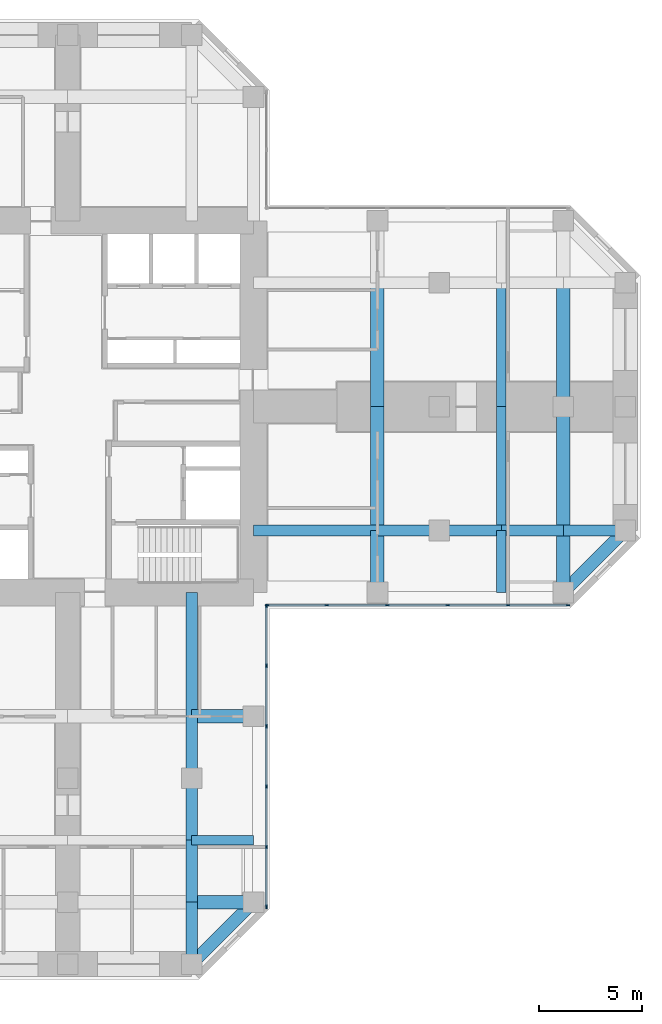
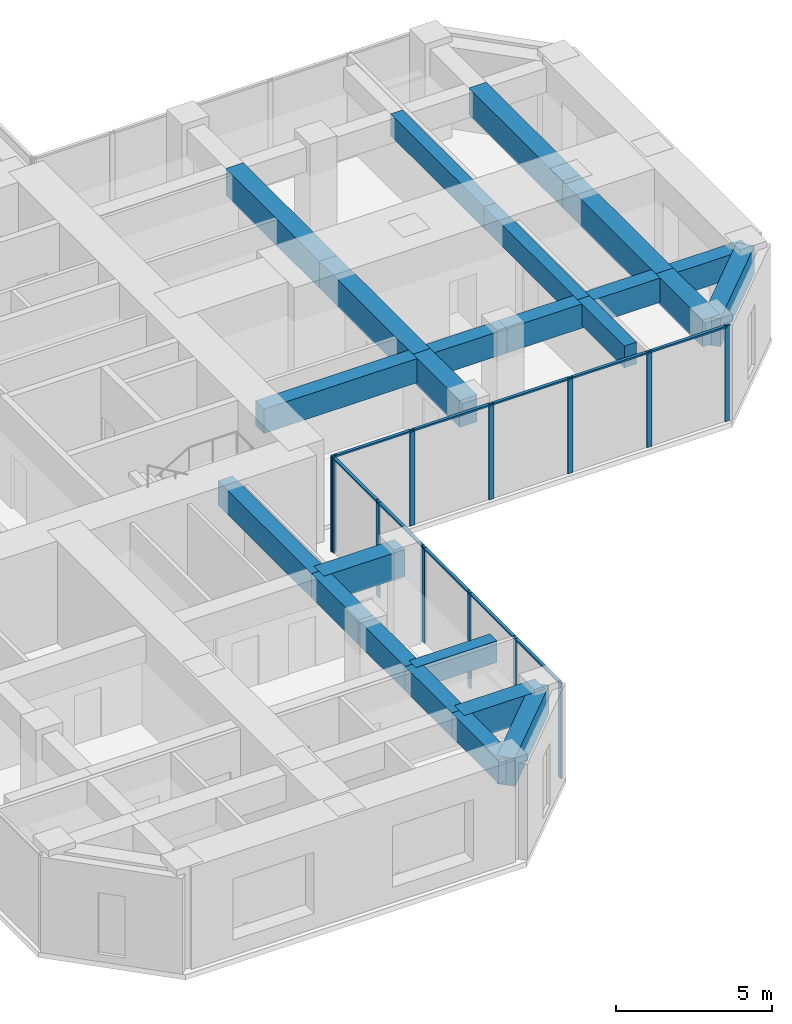
# One storey, part 4 of 13: 24 beams, 22 members, 2 elements without a shape of their own.
"""IFC4 building model written with IfcOpenShell, lengths in metres."""

from ifc_helpers import new_model, si_unit, direction, frame, origin, origin_2d, place, context, subcontext, project, spatial, rectangle, extrude, material, material_profile, profile_set, type_object, element, aggregate, save


model = new_model("IFC4")

# Units and contexts
model_context = context("Model", 3, precision=1e-05, world=origin(), true_north=direction((0.0, 1.0)))
body_context = subcontext(model_context, "Body", "Model", "MODEL_VIEW")
ifc_project = project(units=[si_unit("LENGTHUNIT", "METRE"), si_unit("AREAUNIT", "SQUARE_METRE"), si_unit("VOLUMEUNIT", "CUBIC_METRE"), si_unit("PLANEANGLEUNIT", "RADIAN"), si_unit("MASSUNIT", "GRAM", prefix="KILO")], contexts=[model_context])

# Site, building, storey
site_placement = place(None, origin())
site = spatial("IfcSite", under=ifc_project, at=site_placement, CompositionType="ELEMENT")
building_placement = place(site_placement, origin())
building = spatial("IfcBuilding", under=site, at=building_placement, Name="Torre Cruceta", CompositionType="ELEMENT")
storey_placement = place(building_placement, frame((0.0, 0.0, 160.5)))
storey = spatial("IfcBuildingStorey", under=building, at=storey_placement, Name="L39", CompositionType="ELEMENT", Elevation=160.5)

# Beams
ifc_material_1 = material(Name="Concrete G60 (fck 60 MPa)", Category="concrete")
ifc_material_profile_1 = material_profile(ifc_material_1, rectangle(XDim=0.550048828125, YDim=0.949951171875, at=origin_2d()), Name="RC 550X950")
ifc_profile_set_1 = profile_set([ifc_material_profile_1], Name="Concrete G60 (fck 60 MPa)")
beam_type_1 = type_object("IfcBeamType", Name="COLUMN LINE BEAM RC 550X950", PredefinedType="BEAM", material=ifc_profile_set_1)
beam_1_placement = place(storey_placement, frame((9.0, -6.0, 3.27490234375), z_axis=(1.0, 0.0, 0.0), x_axis=(0.0, 1.0, 0.0)))
element("IfcBeam", 1, at=beam_1_placement, inside=storey, type_object=beam_type_1, Name="LB3 L39 E col- 1", PredefinedType="BEAM", context=body_context, shape_type="SweptSolid", body=[
    extrude(rectangle(XDim=0.550048828125, YDim=0.949951171875, at=origin_2d()), origin(), (0.0, 0.0, 1.0), 6.0),
])
for number, where, z_axis, x_axis, name in (
    (2, (15.0, -6.0, 3.27490234375), (1.0, 0.0, 0.0), (0.0, 1.0, 0.0), "LB3 L39 E col- 2"),
    (3, (18.0, -6.0, 3.27490234375), (1.0, 0.0, 0.0), (0.0, 1.0, 0.0), "LB3 L39 E col- 3"),
    (4, (21.0, -6.0, 3.27490234375), (1.0, 0.0, 0.0), (0.0, 1.0, 0.0), "LB3 L39 E col- 4"),
    (5, (24.0, -6.0, 3.27490234375), (1.0, 0.0, 0.0), (0.0, 1.0, 0.0), "LB3 L39 E col- 5"),
):
    element("IfcBeam", number, at=place(storey_placement, frame(where, z_axis=z_axis, x_axis=x_axis)), inside=storey, type_object=beam_type_1, Name=name, PredefinedType="BEAM", context=body_context, shape_type="SweptSolid", body=[
        extrude(rectangle(XDim=0.550048828125, YDim=0.949951171875, at=origin_2d()), origin(), (0.0, 0.0, 1.0), 3.0),
    ])
beam_2_placement = place(storey_placement, frame((6.0, -9.0, 3.27490234375), z_axis=(0.0, -1.0, 0.0), x_axis=(1.0, 0.0, 0.0)))
element("IfcBeam", 6, at=beam_2_placement, inside=storey, type_object=beam_type_1, Name="LB3 L39 S col+ 1", PredefinedType="BEAM", context=body_context, shape_type="SweptSolid", body=[
    extrude(rectangle(XDim=0.550048828125, YDim=0.949951171875, at=origin_2d()), origin(), (0.0, 0.0, 1.0), 6.0),
])
for number, where, z_axis, x_axis, name in (
    (7, (6.0, -15.0, 3.27490234375), (0.0, -1.0, 0.0), (1.0, 0.0, 0.0), "LB3 L39 S col+ 2"),
    (8, (6.0, -18.0, 3.27490234375), (0.0, -1.0, 0.0), (1.0, 0.0, 0.0), "LB3 L39 S col+ 3"),
    (9, (6.0, -21.0, 3.27490234375), (0.0, -1.0, 0.0), (1.0, 0.0, 0.0), "LB3 L39 S col+ 4"),
    (10, (6.0, -24.0, 3.27490234375), (0.0, -1.0, 0.0), (1.0, 0.0, 0.0), "LB3 L39 S col+ 5"),
):
    element("IfcBeam", number, at=place(storey_placement, frame(where, z_axis=z_axis, x_axis=x_axis)), inside=storey, type_object=beam_type_1, Name=name, PredefinedType="BEAM", context=body_context, shape_type="SweptSolid", body=[
        extrude(rectangle(XDim=0.550048828125, YDim=0.949951171875, at=origin_2d()), origin(), (0.0, 0.0, 1.0), 3.0),
    ])
ifc_material_2 = material(Name="Concrete G60 (fck 60 MPa)", Category="concrete")
ifc_material_profile_2 = material_profile(ifc_material_2, rectangle(XDim=0.64990234375, YDim=1.050048828125, at=origin_2d()), Name="RC 650X1050")
ifc_profile_set_2 = profile_set([ifc_material_profile_2], Name="Concrete G60 (fck 60 MPa)")
beam_type_2 = type_object("IfcBeamType", Name="CROSS BEAM RC 650X1050", PredefinedType="BEAM", material=ifc_profile_set_2)
beam_3_placement = place(storey_placement, frame((15.0, -9.0, 3.22509765625), z_axis=(0.0, 1.0, 0.0), x_axis=(-1.0, 0.0, 0.0)))
element("IfcBeam", 11, at=beam_3_placement, inside=storey, type_object=beam_type_2, Name="GB3 L39 E cross15 1", PredefinedType="BEAM", context=body_context, shape_type="SweptSolid", body=[
    extrude(rectangle(XDim=0.64990234375, YDim=1.050048828125, at=origin_2d()), origin(), (0.0, 0.0, 1.0), 3.0),
])
for number, where, z_axis, x_axis, name in (
    (12, (15.0, -6.0, 3.22509765625), (0.0, 1.0, 0.0), (-1.0, 0.0, 0.0), "GB3 L39 E cross15 2"),
    (13, (15.0, 0.0, 3.22509765625), (0.0, 1.0, 0.0), (-1.0, 0.0, 0.0), "GB3 L39 E cross15 3"),
):
    element("IfcBeam", number, at=place(storey_placement, frame(where, z_axis=z_axis, x_axis=x_axis)), inside=storey, type_object=beam_type_2, Name=name, PredefinedType="BEAM", context=body_context, shape_type="SweptSolid", body=[
        extrude(rectangle(XDim=0.64990234375, YDim=1.050048828125, at=origin_2d()), origin(), (0.0, 0.0, 1.0), 6.0),
    ])
beam_4_placement = place(storey_placement, frame((24.0, -9.0, 3.22509765625), z_axis=(0.0, 1.0, 0.0), x_axis=(-1.0, 0.0, 0.0)))
element("IfcBeam", 14, at=beam_4_placement, inside=storey, type_object=beam_type_2, Name="GB3 L39 E cross24 1", PredefinedType="BEAM", context=body_context, shape_type="SweptSolid", body=[
    extrude(rectangle(XDim=0.64990234375, YDim=1.050048828125, at=origin_2d()), origin(), (0.0, 0.0, 1.0), 3.0),
])
for number, where, z_axis, x_axis, name in (
    (15, (24.0, -6.0, 3.22509765625), (0.0, 1.0, 0.0), (-1.0, 0.0, 0.0), "GB3 L39 E cross24 2"),
    (16, (24.0, 0.0, 3.22509765625), (0.0, 1.0, 0.0), (-1.0, 0.0, 0.0), "GB3 L39 E cross24 3"),
):
    element("IfcBeam", number, at=place(storey_placement, frame(where, z_axis=z_axis, x_axis=x_axis)), inside=storey, type_object=beam_type_2, Name=name, PredefinedType="BEAM", context=body_context, shape_type="SweptSolid", body=[
        extrude(rectangle(XDim=0.64990234375, YDim=1.050048828125, at=origin_2d()), origin(), (0.0, 0.0, 1.0), 6.0),
    ])
for number, where, z_axis, x_axis, name in (
    (17, (6.0, -15.0, 3.22509765625), (1.0, 0.0, 0.0), (0.0, 1.0, 0.0), "GB3 L39 S cross15 4"),
    (18, (6.0, -24.0, 3.22509765625), (1.0, 0.0, 0.0), (0.0, 1.0, 0.0), "GB3 L39 S cross24 4"),
):
    element("IfcBeam", number, at=place(storey_placement, frame(where, z_axis=z_axis, x_axis=x_axis)), inside=storey, type_object=beam_type_2, Name=name, PredefinedType="BEAM", context=body_context, shape_type="SweptSolid", body=[
        extrude(rectangle(XDim=0.64990234375, YDim=1.050048828125, at=origin_2d()), origin(), (0.0, 0.0, 1.0), 3.0),
    ])

# Curtain wall, members
ifc_material_3 = material(Name="Aluminium unitised curtain wall", Category="aluminium")
curtain_wall_type = type_object("IfcCurtainWallType", Name="CURTAIN WALL CW-B OFFICE MID RISE", PredefinedType="USERDEFINED", material=ifc_material_3)
curtain_wall_1_placement = place(storey_placement, origin())
curtain_wall_1 = element("IfcCurtainWall", 19, at=curtain_wall_1_placement, inside=storey, type_object=curtain_wall_type, Name="CW-B L39 E side 00", ObjectType="UNITISED", PredefinedType="USERDEFINED")
ifc_material_4 = material(Name="Aluminium mullion", Category="aluminium")
ifc_material_profile_3 = material_profile(ifc_material_4, rectangle(XDim=0.06494140625, YDim=0.179931640625, at=origin_2d()), Name="AL 65X180")
ifc_profile_set_3 = profile_set([ifc_material_profile_3], Name="Aluminium mullion")
member_type_1 = type_object("IfcMemberType", Name="CW-B MULLION 65X180", PredefinedType="MULLION", material=ifc_profile_set_3)
member_1_placement = place(storey_placement, frame((9.652587890625, -9.6201171875, 0.0), z_axis=(0.0, 0.0, 1.0), x_axis=(0.0, 1.0, 0.0)))
member_1 = element("IfcMember", 20, at=member_1_placement, type_object=member_type_1, Name="CW-B mullion 1", PredefinedType="MULLION", context=body_context, shape_type="SweptSolid", body=[
    extrude(rectangle(XDim=0.06494140625, YDim=0.179931640625, at=origin_2d()), origin(), (0.0, 0.0, 1.0), 3.75),
])
member_2_placement = place(storey_placement, frame((12.54736328125, -9.6201171875, 0.0), z_axis=(0.0, 0.0, 1.0), x_axis=(0.0, 1.0, 0.0)))
member_2 = element("IfcMember", 21, at=member_2_placement, type_object=member_type_1, Name="CW-B mullion 2", PredefinedType="MULLION", context=body_context, shape_type="SweptSolid", body=[
    extrude(rectangle(XDim=0.06494140625, YDim=0.179931640625, at=origin_2d()), origin(), (0.0, 0.0, 1.0), 3.75),
])
member_3_placement = place(storey_placement, frame((15.474609375, -9.6201171875, 0.0), z_axis=(0.0, 0.0, 1.0), x_axis=(0.0, 1.0, 0.0)))
member_3 = element("IfcMember", 22, at=member_3_placement, type_object=member_type_1, Name="CW-B mullion 3", PredefinedType="MULLION", context=body_context, shape_type="SweptSolid", body=[
    extrude(rectangle(XDim=0.06494140625, YDim=0.179931640625, at=origin_2d()), origin(), (0.0, 0.0, 1.0), 3.75),
])
member_4_placement = place(storey_placement, frame((18.402099609375, -9.6201171875, 0.0), z_axis=(0.0, 0.0, 1.0), x_axis=(0.0, 1.0, 0.0)))
member_4 = element("IfcMember", 23, at=member_4_placement, type_object=member_type_1, Name="CW-B mullion 4", PredefinedType="MULLION", context=body_context, shape_type="SweptSolid", body=[
    extrude(rectangle(XDim=0.06494140625, YDim=0.179931640625, at=origin_2d()), origin(), (0.0, 0.0, 1.0), 3.75),
])
member_5_placement = place(storey_placement, frame((21.329345703125, -9.6201171875, 0.0), z_axis=(0.0, 0.0, 1.0), x_axis=(0.0, 1.0, 0.0)))
member_5 = element("IfcMember", 24, at=member_5_placement, type_object=member_type_1, Name="CW-B mullion 5", PredefinedType="MULLION", context=body_context, shape_type="SweptSolid", body=[
    extrude(rectangle(XDim=0.06494140625, YDim=0.179931640625, at=origin_2d()), origin(), (0.0, 0.0, 1.0), 3.75),
])
member_6_placement = place(storey_placement, frame((24.224365234375, -9.6201171875, 0.0), z_axis=(0.0, 0.0, 1.0), x_axis=(0.0, 1.0, 0.0)))
member_6 = element("IfcMember", 25, at=member_6_placement, type_object=member_type_1, Name="CW-B mullion 6", PredefinedType="MULLION", context=body_context, shape_type="SweptSolid", body=[
    extrude(rectangle(XDim=0.06494140625, YDim=0.179931640625, at=origin_2d()), origin(), (0.0, 0.0, 1.0), 3.75),
])

curtain_wall_2_placement = place(storey_placement, origin())
curtain_wall_2 = element("IfcCurtainWall", 26, at=curtain_wall_2_placement, inside=storey, type_object=curtain_wall_type, Name="CW-B L39 S side 19", ObjectType="UNITISED", PredefinedType="USERDEFINED")
member_7_placement = place(storey_placement, frame((9.6201171875, -24.224365234375, 0.0), z_axis=(0.0, 0.0, 1.0), x_axis=(-1.0, 0.0, 0.0)))
member_7 = element("IfcMember", 27, at=member_7_placement, type_object=member_type_1, Name="CW-B mullion 1", PredefinedType="MULLION", context=body_context, shape_type="SweptSolid", body=[
    extrude(rectangle(XDim=0.06494140625, YDim=0.179931640625, at=origin_2d()), origin(), (0.0, 0.0, 1.0), 3.75),
])
member_8_placement = place(storey_placement, frame((9.6201171875, -21.329345703125, 0.0), z_axis=(0.0, 0.0, 1.0), x_axis=(-1.0, 0.0, 0.0)))
member_8 = element("IfcMember", 28, at=member_8_placement, type_object=member_type_1, Name="CW-B mullion 2", PredefinedType="MULLION", context=body_context, shape_type="SweptSolid", body=[
    extrude(rectangle(XDim=0.06494140625, YDim=0.179931640625, at=origin_2d()), origin(), (0.0, 0.0, 1.0), 3.75),
])
member_9_placement = place(storey_placement, frame((9.6201171875, -18.402099609375, 0.0), z_axis=(0.0, 0.0, 1.0), x_axis=(-1.0, 0.0, 0.0)))
member_9 = element("IfcMember", 29, at=member_9_placement, type_object=member_type_1, Name="CW-B mullion 3", PredefinedType="MULLION", context=body_context, shape_type="SweptSolid", body=[
    extrude(rectangle(XDim=0.06494140625, YDim=0.179931640625, at=origin_2d()), origin(), (0.0, 0.0, 1.0), 3.75),
])
member_10_placement = place(storey_placement, frame((9.6201171875, -15.474609375, 0.0), z_axis=(0.0, 0.0, 1.0), x_axis=(-1.0, 0.0, 0.0)))
member_10 = element("IfcMember", 30, at=member_10_placement, type_object=member_type_1, Name="CW-B mullion 4", PredefinedType="MULLION", context=body_context, shape_type="SweptSolid", body=[
    extrude(rectangle(XDim=0.06494140625, YDim=0.179931640625, at=origin_2d()), origin(), (0.0, 0.0, 1.0), 3.75),
])
member_11_placement = place(storey_placement, frame((9.6201171875, -12.54736328125, 0.0), z_axis=(0.0, 0.0, 1.0), x_axis=(-1.0, 0.0, 0.0)))
member_11 = element("IfcMember", 31, at=member_11_placement, type_object=member_type_1, Name="CW-B mullion 5", PredefinedType="MULLION", context=body_context, shape_type="SweptSolid", body=[
    extrude(rectangle(XDim=0.06494140625, YDim=0.179931640625, at=origin_2d()), origin(), (0.0, 0.0, 1.0), 3.75),
])
member_12_placement = place(storey_placement, frame((9.6201171875, -9.652587890625, 0.0), z_axis=(0.0, 0.0, 1.0), x_axis=(-1.0, 0.0, 0.0)))
member_12 = element("IfcMember", 32, at=member_12_placement, type_object=member_type_1, Name="CW-B mullion 6", PredefinedType="MULLION", context=body_context, shape_type="SweptSolid", body=[
    extrude(rectangle(XDim=0.06494140625, YDim=0.179931640625, at=origin_2d()), origin(), (0.0, 0.0, 1.0), 3.75),
])

# Member
ifc_material_5 = material(Name="Aluminium transom", Category="aluminium")
ifc_material_profile_4 = material_profile(ifc_material_5, rectangle(XDim=0.110107421875, YDim=0.06494140625, at=origin_2d()), Name="AL 110X65")
ifc_profile_set_4 = profile_set([ifc_material_profile_4], Name="Aluminium transom")
member_type_2 = type_object("IfcMemberType", Name="CW-B TRANSOM 65X110", PredefinedType="USERDEFINED", material=ifc_profile_set_4)
member_13_placement = place(storey_placement, frame((9.68505859375, -9.6201171875, 3.717529296875), z_axis=(1.0, 0.0, 0.0), x_axis=(0.0, 1.0, 0.0)))
member_13 = element("IfcMember", 33, at=member_13_placement, type_object=member_type_2, Name="CW-B transom 1", ObjectType="TRANSOM", PredefinedType="USERDEFINED", context=body_context, shape_type="SweptSolid", body=[
    extrude(rectangle(XDim=0.110107421875, YDim=0.06494140625, at=origin_2d()), origin(), (0.0, 0.0, 1.0), 2.829833984375),
])

member_14_placement = place(storey_placement, frame((12.579833984375, -9.6201171875, 3.717529296875), z_axis=(1.0, 0.0, 0.0), x_axis=(0.0, 1.0, 0.0)))
member_14 = element("IfcMember", 34, at=member_14_placement, type_object=member_type_2, Name="CW-B transom 2", ObjectType="TRANSOM", PredefinedType="USERDEFINED", context=body_context, shape_type="SweptSolid", body=[
    extrude(rectangle(XDim=0.110107421875, YDim=0.06494140625, at=origin_2d()), origin(), (0.0, 0.0, 1.0), 2.8623046875),
])

member_15_placement = place(storey_placement, frame((15.50732421875, -9.6201171875, 3.717529296875), z_axis=(1.0, 0.0, 0.0), x_axis=(0.0, 1.0, 0.0)))
member_15 = element("IfcMember", 35, at=member_15_placement, type_object=member_type_2, Name="CW-B transom 3", ObjectType="TRANSOM", PredefinedType="USERDEFINED", context=body_context, shape_type="SweptSolid", body=[
    extrude(rectangle(XDim=0.110107421875, YDim=0.06494140625, at=origin_2d()), origin(), (0.0, 0.0, 1.0), 2.8623046875),
])

member_16_placement = place(storey_placement, frame((18.4345703125, -9.6201171875, 3.717529296875), z_axis=(1.0, 0.0, 0.0), x_axis=(0.0, 1.0, 0.0)))
member_16 = element("IfcMember", 36, at=member_16_placement, type_object=member_type_2, Name="CW-B transom 4", ObjectType="TRANSOM", PredefinedType="USERDEFINED", context=body_context, shape_type="SweptSolid", body=[
    extrude(rectangle(XDim=0.110107421875, YDim=0.06494140625, at=origin_2d()), origin(), (0.0, 0.0, 1.0), 2.8623046875),
])

member_17_placement = place(storey_placement, frame((21.362060546875, -9.6201171875, 3.717529296875), z_axis=(1.0, 0.0, 0.0), x_axis=(0.0, 1.0, 0.0)))
member_17 = element("IfcMember", 37, at=member_17_placement, type_object=member_type_2, Name="CW-B transom 5", ObjectType="TRANSOM", PredefinedType="USERDEFINED", context=body_context, shape_type="SweptSolid", body=[
    extrude(rectangle(XDim=0.110107421875, YDim=0.06494140625, at=origin_2d()), origin(), (0.0, 0.0, 1.0), 2.829833984375),
])

aggregate(curtain_wall_1, [member_1, member_2, member_3, member_4, member_5, member_6, member_13, member_14, member_15, member_16, member_17])

member_18_placement = place(storey_placement, frame((9.6201171875, -24.19189453125, 3.717529296875), z_axis=(0.0, 1.0, 0.0), x_axis=(-1.0, 0.0, 0.0)))
member_18 = element("IfcMember", 38, at=member_18_placement, type_object=member_type_2, Name="CW-B transom 1", ObjectType="TRANSOM", PredefinedType="USERDEFINED", context=body_context, shape_type="SweptSolid", body=[
    extrude(rectangle(XDim=0.110107421875, YDim=0.06494140625, at=origin_2d()), origin(), (0.0, 0.0, 1.0), 2.829833984375),
])

member_19_placement = place(storey_placement, frame((9.6201171875, -21.296875, 3.717529296875), z_axis=(0.0, 1.0, 0.0), x_axis=(-1.0, 0.0, 0.0)))
member_19 = element("IfcMember", 39, at=member_19_placement, type_object=member_type_2, Name="CW-B transom 2", ObjectType="TRANSOM", PredefinedType="USERDEFINED", context=body_context, shape_type="SweptSolid", body=[
    extrude(rectangle(XDim=0.110107421875, YDim=0.06494140625, at=origin_2d()), origin(), (0.0, 0.0, 1.0), 2.8623046875),
])

member_20_placement = place(storey_placement, frame((9.6201171875, -18.36962890625, 3.717529296875), z_axis=(0.0, 1.0, 0.0), x_axis=(-1.0, 0.0, 0.0)))
member_20 = element("IfcMember", 40, at=member_20_placement, type_object=member_type_2, Name="CW-B transom 3", ObjectType="TRANSOM", PredefinedType="USERDEFINED", context=body_context, shape_type="SweptSolid", body=[
    extrude(rectangle(XDim=0.110107421875, YDim=0.06494140625, at=origin_2d()), origin(), (0.0, 0.0, 1.0), 2.8623046875),
])

member_21_placement = place(storey_placement, frame((9.6201171875, -15.442138671875, 3.717529296875), z_axis=(0.0, 1.0, 0.0), x_axis=(-1.0, 0.0, 0.0)))
member_21 = element("IfcMember", 41, at=member_21_placement, type_object=member_type_2, Name="CW-B transom 4", ObjectType="TRANSOM", PredefinedType="USERDEFINED", context=body_context, shape_type="SweptSolid", body=[
    extrude(rectangle(XDim=0.110107421875, YDim=0.06494140625, at=origin_2d()), origin(), (0.0, 0.0, 1.0), 2.8623046875),
])

member_22_placement = place(storey_placement, frame((9.6201171875, -12.514892578125, 3.717529296875), z_axis=(0.0, 1.0, 0.0), x_axis=(-1.0, 0.0, 0.0)))
member_22 = element("IfcMember", 42, at=member_22_placement, type_object=member_type_2, Name="CW-B transom 5", ObjectType="TRANSOM", PredefinedType="USERDEFINED", context=body_context, shape_type="SweptSolid", body=[
    extrude(rectangle(XDim=0.110107421875, YDim=0.06494140625, at=origin_2d()), origin(), (0.0, 0.0, 1.0), 2.829833984375),
])

aggregate(curtain_wall_2, [member_7, member_8, member_9, member_10, member_11, member_12, member_18, member_19, member_20, member_21, member_22])

# Beams
ifc_material_6 = material(Name="Concrete G60 (fck 60 MPa)", Category="concrete")
ifc_material_profile_5 = material_profile(ifc_material_6, rectangle(XDim=0.449951171875, YDim=0.85009765625, at=origin_2d()), Name="RC 450X850")
ifc_profile_set_5 = profile_set([ifc_material_profile_5], Name="Concrete G60 (fck 60 MPa)")
beam_type_3 = type_object("IfcBeamType", Name="SECONDARY BEAM RC 450X850", PredefinedType="JOIST", material=ifc_profile_set_5)
beam_5_placement = place(storey_placement, frame((21.0, -9.0, 3.324951171875), z_axis=(0.0, 1.0, 0.0), x_axis=(-1.0, 0.0, 0.0)))
element("IfcBeam", 43, at=beam_5_placement, inside=storey, type_object=beam_type_3, Name="JB4 L39 E sec21 1", PredefinedType="JOIST", context=body_context, shape_type="SweptSolid", body=[
    extrude(rectangle(XDim=0.449951171875, YDim=0.85009765625, at=origin_2d()), origin(), (0.0, 0.0, 1.0), 3.0),
])
for number, where, z_axis, x_axis, name in (
    (44, (21.0, -6.0, 3.324951171875), (0.0, 1.0, 0.0), (-1.0, 0.0, 0.0), "JB4 L39 E sec21 2"),
    (45, (21.0, 0.0, 3.324951171875), (0.0, 1.0, 0.0), (-1.0, 0.0, 0.0), "JB4 L39 E sec21 3"),
):
    element("IfcBeam", number, at=place(storey_placement, frame(where, z_axis=z_axis, x_axis=x_axis)), inside=storey, type_object=beam_type_3, Name=name, PredefinedType="JOIST", context=body_context, shape_type="SweptSolid", body=[
        extrude(rectangle(XDim=0.449951171875, YDim=0.85009765625, at=origin_2d()), origin(), (0.0, 0.0, 1.0), 6.0),
    ])
beam_6_placement = place(storey_placement, frame((6.0, -21.0, 3.324951171875), z_axis=(1.0, 0.0, 0.0), x_axis=(0.0, 1.0, 0.0)))
element("IfcBeam", 46, at=beam_6_placement, inside=storey, type_object=beam_type_3, Name="JB4 L39 S sec21 4", PredefinedType="JOIST", context=body_context, shape_type="SweptSolid", body=[
    extrude(rectangle(XDim=0.449951171875, YDim=0.85009765625, at=origin_2d()), origin(), (0.0, 0.0, 1.0), 3.0),
])
ifc_material_7 = material(Name="Concrete G60 (fck 60 MPa)", Category="concrete")
ifc_material_profile_6 = material_profile(ifc_material_7, rectangle(XDim=0.60009765625, YDim=1.10009765625, at=origin_2d()), Name="RC 600X1100")
ifc_profile_set_6 = profile_set([ifc_material_profile_6], Name="Concrete G60 (fck 60 MPa)")
beam_type_4 = type_object("IfcBeamType", Name="SPANDREL BEAM RC 600X1100", PredefinedType="SPANDREL", material=ifc_profile_set_6)
for number, where, z_axis, x_axis, name in (
    (47, (24.0, -9.0, 3.199951171875), (0.707106781187, 0.707106781187, 0.0), (-0.707106781187, 0.707106781187, 0.0), "SB2 L39 E side- 5"),
    (48, (9.0, -24.0, 3.199951171875), (-0.707106781187, -0.707106781187, 0.0), (0.707106781187, -0.707106781187, 0.0), "SB2 L39 S side+ 5"),
):
    element("IfcBeam", number, at=place(storey_placement, frame(where, z_axis=z_axis, x_axis=x_axis)), inside=storey, type_object=beam_type_4, Name=name, PredefinedType="SPANDREL", context=body_context, shape_type="SweptSolid", body=[
        extrude(rectangle(XDim=0.60009765625, YDim=1.10009765625, at=origin_2d()), origin(), (0.0, 0.0, 1.0), 4.24267578125),
    ])

save(model, "model.ifc")
